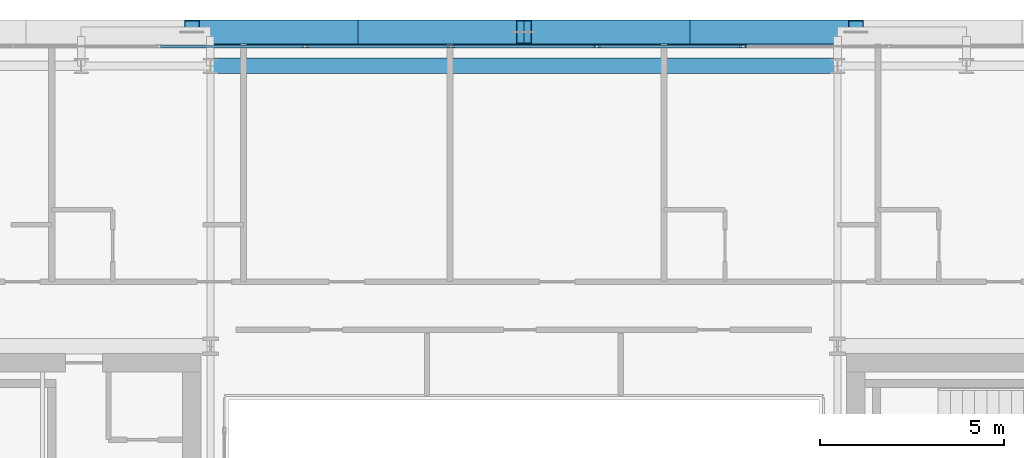
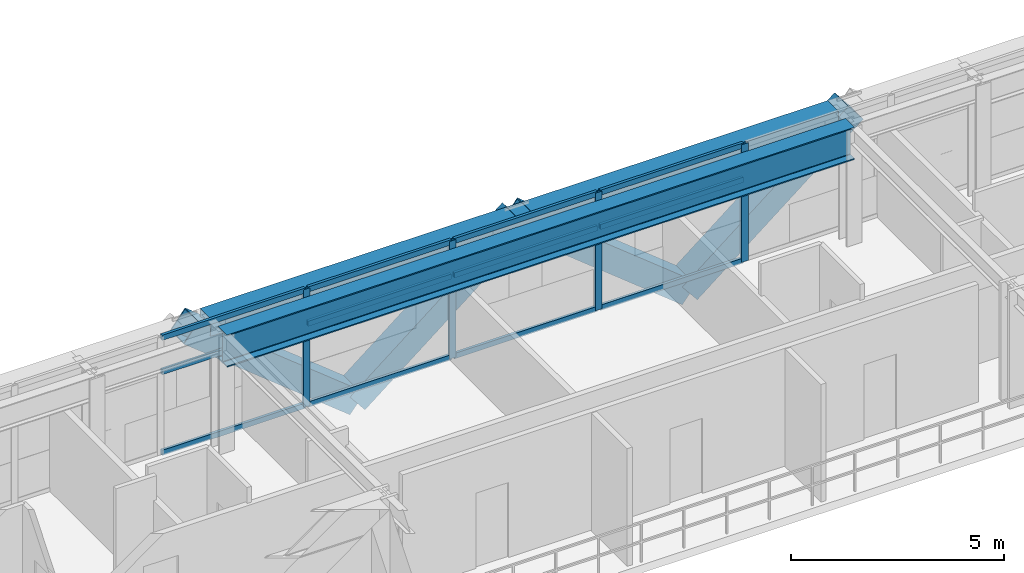
# One storey, part 21 of 37: 20 members, 2 beams, 1 element without a shape of its own.
"""IFC4 building model written with IfcOpenShell, lengths in metres."""

from ifc_helpers import new_model, si_unit, direction, frame, origin, origin_2d, place, context, subcontext, project, spatial, hollow_rectangle, i_section, extrude, source, transform, mapped, material, layer, layer_set, material_profile, profile_set, type_object, element, aggregate, save


model = new_model("IFC4")

# Units and contexts
model_context = context("Model", 3, precision=1e-05, world=origin(), true_north=direction((0.0, 1.0)))
body_context = subcontext(model_context, "Body", "Model", "MODEL_VIEW")
ifc_project = project(units=[si_unit("LENGTHUNIT", "METRE"), si_unit("AREAUNIT", "SQUARE_METRE"), si_unit("VOLUMEUNIT", "CUBIC_METRE"), si_unit("PLANEANGLEUNIT", "RADIAN"), si_unit("MASSUNIT", "GRAM", prefix="KILO")], contexts=[model_context])

# Site, building, storey
site_placement = place(None, origin())
site = spatial("IfcSite", under=ifc_project, at=site_placement, CompositionType="ELEMENT")
building_placement = place(site_placement, origin())
building = spatial("IfcBuilding", under=site, at=building_placement, Name="Ocotamira Hotel", CompositionType="ELEMENT")
storey_placement = place(building_placement, frame((0.0, 0.0, 192.0)))
storey = spatial("IfcBuildingStorey", under=building, at=storey_placement, Name="L48", CompositionType="ELEMENT", Elevation=192.0)

# Beams
ifc_material_1 = material(Name="Steel ASTM A992 Grade 50", Category="steel")
ifc_material_profile_1 = material_profile(ifc_material_1, i_section(OverallWidth=0.41796875, OverallDepth=0.927001953125, WebThickness=0.019287109375, FlangeThickness=0.031982421875, FilletRadius=0.02392578125, at=origin_2d()), Name="W36X231")
ifc_profile_set_1 = profile_set([ifc_material_profile_1], Name="Steel ASTM A992 Grade 50")
beam_type_1 = type_object("IfcBeamType", Name="BM-GIRD-W36X231", PredefinedType="BEAM", material=ifc_profile_set_1)
shared_shape_1 = source(origin(), body_context, "Body", "SweptSolid", [
    extrude(i_section(OverallWidth=0.41796875, OverallDepth=0.927001953125, WebThickness=0.019287109375, FlangeThickness=0.031982421875, FilletRadius=0.02392578125, at=origin_2d()), origin(), (0.0, 0.0, 1.0), 17.0),
])
beam_1_placement = place(storey_placement, frame((23.5, 45.050048828125, 2.906494140625), z_axis=(1.0, 0.0, 0.0), x_axis=(0.0, 1.0, 0.0)))
element("IfcBeam", 1, at=beam_1_placement, inside=storey, type_object=beam_type_1, Name="L48 Girder Y45.05 X23.5-40.5", PredefinedType="BEAM", context=body_context, shape_type="MappedRepresentation", body=[
    mapped(shared_shape_1, transform((0.0, 0.0, 0.0), scale=1.0)),
])
ifc_material_2 = material(Name="Steel ASTM A500 Grade C", Category="steel")
ifc_material_profile_2 = material_profile(ifc_material_2, hollow_rectangle(XDim=0.5, YDim=0.5, WallThickness=0.02001953125, at=origin_2d()), Name="HSS500X500X20")
ifc_profile_set_2 = profile_set([ifc_material_profile_2], Name="Steel ASTM A500 Grade C")
beam_type_2 = type_object("IfcBeamType", Name="BM-SPAN-HSS500", PredefinedType="USERDEFINED", material=ifc_profile_set_2)
shared_shape_2 = source(origin(), body_context, "Body", "SweptSolid", [
    extrude(hollow_rectangle(XDim=0.5, YDim=0.5, WallThickness=0.02001953125, at=origin_2d()), origin(), (0.0, 0.0, 1.0), 17.0),
])
beam_2_placement = place(storey_placement, frame((23.5, 45.85009765625, 3.1201171875), z_axis=(1.0, 0.0, 0.0), x_axis=(0.0, 1.0, 0.0)))
element("IfcBeam", 2, at=beam_2_placement, inside=storey, type_object=beam_type_2, Name="L48 Edge Spandrel N X23.5-40.5", ObjectType="SPANDREL", PredefinedType="USERDEFINED", context=body_context, shape_type="MappedRepresentation", body=[
    mapped(shared_shape_2, transform((0.0, 0.0, 0.0), scale=1.0)),
])

# Members
ifc_material_3 = material(Name="Pale-metal coated steel ASTM A913 Grade 65", Category="steel")
ifc_material_profile_3 = material_profile(ifc_material_3, hollow_rectangle(XDim=0.64990234375, YDim=0.64990234375, WallThickness=0.02197265625, at=origin_2d()), Name="BOX650X650X22")
ifc_profile_set_3 = profile_set([ifc_material_profile_3], Name="Pale-metal coated steel ASTM A913 Grade 65")
member_type_1 = type_object("IfcMemberType", Name="MEM-EXO-BOX650", PredefinedType="BRACE", material=ifc_profile_set_3)
shared_shape_3 = source(origin(), body_context, "Body", "SweptSolid", [
    extrude(hollow_rectangle(XDim=0.64990234375, YDim=0.64990234375, WallThickness=0.02197265625, at=origin_2d()), origin(), (0.0, 0.0, 1.0), 5.762939453125),
])
for number, where, z_axis, x_axis, name in (
    (3, (27.5, 45.969970703125, -0.47998046875), (-0.780860543151, 0.0, 0.624705380279), (0.0, -1.0, 0.0), "L48 Exoskeleton Diagrid N1.1"),
    (4, (27.5, 45.969970703125, -0.47998046875), (0.780860543151, 0.0, 0.624705380279), (0.0, 1.0, 0.0), "L48 Exoskeleton Diagrid N1.2"),
    (5, (36.5, 45.969970703125, -0.47998046875), (-0.780860543151, 0.0, 0.624705380279), (0.0, -1.0, 0.0), "L48 Exoskeleton Diagrid N2.1"),
    (6, (36.5, 45.969970703125, -0.47998046875), (0.780860543151, 0.0, 0.624705380279), (0.0, 1.0, 0.0), "L48 Exoskeleton Diagrid N2.2"),
):
    element("IfcMember", number, at=place(storey_placement, frame(where, z_axis=z_axis, x_axis=x_axis)), inside=storey, type_object=member_type_1, Name=name, PredefinedType="BRACE", context=body_context, shape_type="MappedRepresentation", body=[
        mapped(shared_shape_3, transform((0.0, 0.0, 0.0), scale=1.0)),
    ])

# Curtain wall, members
ifc_material_4 = material(Name="Anodised pale-metal aluminium and solar glass", Category="aluminium")
ifc_layer = layer(ifc_material_4, 0.199951171875)
ifc_layer_set = layer_set([ifc_layer], Name="Anodised pale-metal aluminium and solar glass")
curtain_wall_type = type_object("IfcCurtainWallType", Name="CW-SYS4-Z3", PredefinedType="NOTDEFINED", material=ifc_layer_set)
curtain_wall_placement = place(storey_placement, origin())
curtain_wall = element("IfcCurtainWall", 7, at=curtain_wall_placement, inside=storey, type_object=curtain_wall_type, Name="L48 Curtain Wall CW-4 CW-L48-N", PredefinedType="NOTDEFINED")
ifc_material_5 = material(Name="Anodised pale-metal aluminium 6063-T6", Category="aluminium")
ifc_material_profile_4 = material_profile(ifc_material_5, hollow_rectangle(XDim=0.074951171875, YDim=0.14990234375, WallThickness=0.006103515625, at=origin_2d()), Name="HSS150X75X6")
ifc_profile_set_4 = profile_set([ifc_material_profile_4], Name="Anodised pale-metal aluminium 6063-T6")
member_type_2 = type_object("IfcMemberType", Name="CWT-150X75", PredefinedType="USERDEFINED", material=ifc_profile_set_4)
shared_shape_4 = source(origin(), body_context, "Body", "SweptSolid", [
    extrude(hollow_rectangle(XDim=0.074951171875, YDim=0.14990234375, WallThickness=0.006103515625, at=origin_2d()), origin(), (0.0, 0.0, 1.0), 3.87548828125),
])
member_1_placement = place(storey_placement, frame((22.151123046875, 45.580078125, 0.03759765625), z_axis=(1.0, 0.0, 0.0), x_axis=(0.0, 1.0, 0.0)))
member_1 = element("IfcMember", 8, at=member_1_placement, type_object=member_type_2, Name="CW-4 transom 3.1", ObjectType="TRANSOM", PredefinedType="USERDEFINED", context=body_context, shape_type="MappedRepresentation", body=[
    mapped(shared_shape_4, transform((0.0, 0.0, 0.0), scale=1.0)),
])
member_2_placement = place(storey_placement, frame((22.151123046875, 45.580078125, 2.35009765625), z_axis=(1.0, 0.0, 0.0), x_axis=(0.0, 1.0, 0.0)))
member_2 = element("IfcMember", 9, at=member_2_placement, type_object=member_type_2, Name="CW-4 transom 3.2", ObjectType="TRANSOM", PredefinedType="USERDEFINED", context=body_context, shape_type="MappedRepresentation", body=[
    mapped(shared_shape_4, transform((0.0, 0.0, 0.0), scale=1.0)),
])
member_3_placement = place(storey_placement, frame((22.151123046875, 45.580078125, 3.33251953125), z_axis=(1.0, 0.0, 0.0), x_axis=(0.0, 1.0, 0.0)))
member_3 = element("IfcMember", 10, at=member_3_placement, type_object=member_type_2, Name="CW-4 transom 3.3", ObjectType="TRANSOM", PredefinedType="USERDEFINED", context=body_context, shape_type="MappedRepresentation", body=[
    mapped(shared_shape_4, transform((0.0, 0.0, 0.0), scale=1.0)),
])
member_4_placement = place(storey_placement, frame((26.106689453125, 45.580078125, 0.03759765625), z_axis=(1.0, 0.0, 0.0), x_axis=(0.0, 1.0, 0.0)))
member_4 = element("IfcMember", 11, at=member_4_placement, type_object=member_type_2, Name="CW-4 transom 4.1", ObjectType="TRANSOM", PredefinedType="USERDEFINED", context=body_context, shape_type="MappedRepresentation", body=[
    mapped(shared_shape_4, transform((0.0, 0.0, 0.0), scale=1.0)),
])
member_5_placement = place(storey_placement, frame((26.106689453125, 45.580078125, 2.35009765625), z_axis=(1.0, 0.0, 0.0), x_axis=(0.0, 1.0, 0.0)))
member_5 = element("IfcMember", 12, at=member_5_placement, type_object=member_type_2, Name="CW-4 transom 4.2", ObjectType="TRANSOM", PredefinedType="USERDEFINED", context=body_context, shape_type="MappedRepresentation", body=[
    mapped(shared_shape_4, transform((0.0, 0.0, 0.0), scale=1.0)),
])
member_6_placement = place(storey_placement, frame((26.106689453125, 45.580078125, 3.33251953125), z_axis=(1.0, 0.0, 0.0), x_axis=(0.0, 1.0, 0.0)))
member_6 = element("IfcMember", 13, at=member_6_placement, type_object=member_type_2, Name="CW-4 transom 4.3", ObjectType="TRANSOM", PredefinedType="USERDEFINED", context=body_context, shape_type="MappedRepresentation", body=[
    mapped(shared_shape_4, transform((0.0, 0.0, 0.0), scale=1.0)),
])
member_7_placement = place(storey_placement, frame((30.062255859375, 45.580078125, 0.03759765625), z_axis=(1.0, 0.0, 0.0), x_axis=(0.0, 1.0, 0.0)))
member_7 = element("IfcMember", 14, at=member_7_placement, type_object=member_type_2, Name="CW-4 transom 5.1", ObjectType="TRANSOM", PredefinedType="USERDEFINED", context=body_context, shape_type="MappedRepresentation", body=[
    mapped(shared_shape_4, transform((0.0, 0.0, 0.0), scale=1.0)),
])
member_8_placement = place(storey_placement, frame((30.062255859375, 45.580078125, 2.35009765625), z_axis=(1.0, 0.0, 0.0), x_axis=(0.0, 1.0, 0.0)))
member_8 = element("IfcMember", 15, at=member_8_placement, type_object=member_type_2, Name="CW-4 transom 5.2", ObjectType="TRANSOM", PredefinedType="USERDEFINED", context=body_context, shape_type="MappedRepresentation", body=[
    mapped(shared_shape_4, transform((0.0, 0.0, 0.0), scale=1.0)),
])
member_9_placement = place(storey_placement, frame((30.062255859375, 45.580078125, 3.33251953125), z_axis=(1.0, 0.0, 0.0), x_axis=(0.0, 1.0, 0.0)))
member_9 = element("IfcMember", 16, at=member_9_placement, type_object=member_type_2, Name="CW-4 transom 5.3", ObjectType="TRANSOM", PredefinedType="USERDEFINED", context=body_context, shape_type="MappedRepresentation", body=[
    mapped(shared_shape_4, transform((0.0, 0.0, 0.0), scale=1.0)),
])
member_10_placement = place(storey_placement, frame((34.017822265625, 45.580078125, 0.03759765625), z_axis=(1.0, 0.0, 0.0), x_axis=(0.0, 1.0, 0.0)))
member_10 = element("IfcMember", 17, at=member_10_placement, type_object=member_type_2, Name="CW-4 transom 6.1", ObjectType="TRANSOM", PredefinedType="USERDEFINED", context=body_context, shape_type="MappedRepresentation", body=[
    mapped(shared_shape_4, transform((0.0, 0.0, 0.0), scale=1.0)),
])
member_11_placement = place(storey_placement, frame((34.017822265625, 45.580078125, 2.35009765625), z_axis=(1.0, 0.0, 0.0), x_axis=(0.0, 1.0, 0.0)))
member_11 = element("IfcMember", 18, at=member_11_placement, type_object=member_type_2, Name="CW-4 transom 6.2", ObjectType="TRANSOM", PredefinedType="USERDEFINED", context=body_context, shape_type="MappedRepresentation", body=[
    mapped(shared_shape_4, transform((0.0, 0.0, 0.0), scale=1.0)),
])
member_12_placement = place(storey_placement, frame((34.017822265625, 45.580078125, 3.33251953125), z_axis=(1.0, 0.0, 0.0), x_axis=(0.0, 1.0, 0.0)))
member_12 = element("IfcMember", 19, at=member_12_placement, type_object=member_type_2, Name="CW-4 transom 6.3", ObjectType="TRANSOM", PredefinedType="USERDEFINED", context=body_context, shape_type="MappedRepresentation", body=[
    mapped(shared_shape_4, transform((0.0, 0.0, 0.0), scale=1.0)),
])
ifc_material_profile_5 = material_profile(ifc_material_5, hollow_rectangle(XDim=0.080078125, YDim=0.179931640625, WallThickness=0.006103515625, at=origin_2d()), Name="HSS180X80X6")
ifc_profile_set_5 = profile_set([ifc_material_profile_5], Name="Anodised pale-metal aluminium 6063-T6")
member_type_3 = type_object("IfcMemberType", Name="CWM-180X75", PredefinedType="MULLION", material=ifc_profile_set_5)
shared_shape_5 = source(origin(), body_context, "Body", "SweptSolid", [
    extrude(hollow_rectangle(XDim=0.080078125, YDim=0.179931640625, WallThickness=0.006103515625, at=origin_2d()), origin(), (0.0, 0.0, 1.0), 3.3701171875),
])
member_13_placement = place(storey_placement, frame((26.066650390625, 45.580078125, 0.0), z_axis=(0.0, 0.0, 1.0), x_axis=(0.0, 1.0, 0.0)))
member_13 = element("IfcMember", 20, at=member_13_placement, type_object=member_type_3, Name="CW-4 mullion 4", PredefinedType="MULLION", context=body_context, shape_type="MappedRepresentation", body=[
    mapped(shared_shape_5, transform((0.0, 0.0, 0.0), scale=1.0)),
])
member_14_placement = place(storey_placement, frame((30.022216796875, 45.580078125, 0.0), z_axis=(0.0, 0.0, 1.0), x_axis=(0.0, 1.0, 0.0)))
member_14 = element("IfcMember", 21, at=member_14_placement, type_object=member_type_3, Name="CW-4 mullion 5", PredefinedType="MULLION", context=body_context, shape_type="MappedRepresentation", body=[
    mapped(shared_shape_5, transform((0.0, 0.0, 0.0), scale=1.0)),
])
member_15_placement = place(storey_placement, frame((33.977783203125, 45.580078125, 0.0), z_axis=(0.0, 0.0, 1.0), x_axis=(0.0, 1.0, 0.0)))
member_15 = element("IfcMember", 22, at=member_15_placement, type_object=member_type_3, Name="CW-4 mullion 6", PredefinedType="MULLION", context=body_context, shape_type="MappedRepresentation", body=[
    mapped(shared_shape_5, transform((0.0, 0.0, 0.0), scale=1.0)),
])
member_16_placement = place(storey_placement, frame((37.933349609375, 45.580078125, 0.0), z_axis=(0.0, 0.0, 1.0), x_axis=(0.0, 1.0, 0.0)))
member_16 = element("IfcMember", 23, at=member_16_placement, type_object=member_type_3, Name="CW-4 mullion 7", PredefinedType="MULLION", context=body_context, shape_type="MappedRepresentation", body=[
    mapped(shared_shape_5, transform((0.0, 0.0, 0.0), scale=1.0)),
])
aggregate(curtain_wall, [member_13, member_14, member_15, member_16, member_1, member_2, member_3, member_4, member_5, member_6, member_7, member_8, member_9, member_10, member_11, member_12])

save(model, "model.ifc")
